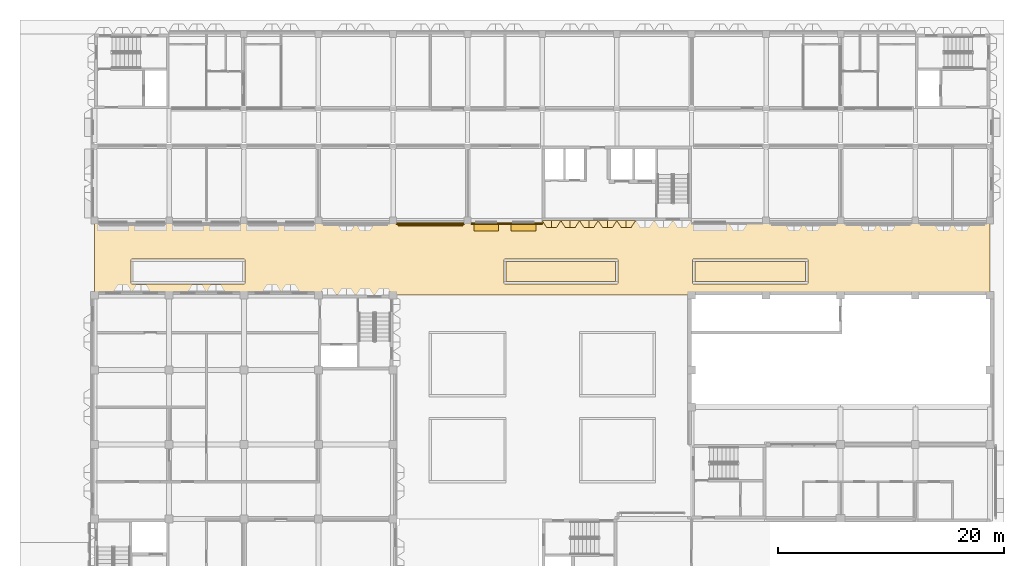
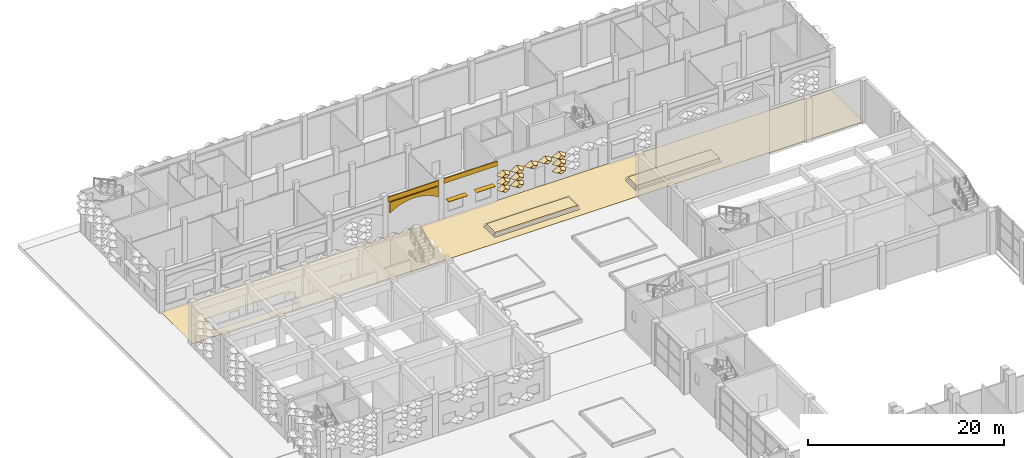
# One storey, part 71 of 85: 17 coverings, 2 shading devices.
"""IFC4 building model written with IfcOpenShell, lengths in metres."""

import ifcopenshell
import ifcopenshell.guid

model = None  # the IFC model being written
_history = None  # IfcOwnerHistory: only IFC2X3 demands one
_inside = {}  # id of a spatial element -> (the spatial element, [elements in it])
_under = {}  # id of a project, library or spatial element -> (it, [spatial elements below it])
_declared = {}  # id of a project -> (the project, [libraries it declares])
_typed = {}  # id of a type object -> (the type object, [elements of that type])
_made_of = {}  # id of a material, layer set ... -> (it, [elements and type objects made of it])


def new_model(schema):
    """Start an empty IFC model of exactly this schema.

    Asked for "IFC4X3", IfcOpenShell would pick the latest addendum, in which some entities
    have other attributes; the version numbers below select the first issue.
    IFC2X3 requires an IfcOwnerHistory on every rooted entity: one is made here for all.
    """
    global model, _history
    if schema == "IFC4X3":
        model = ifcopenshell.file(schema_version=(4, 3, 0, 0))
    else:
        model = ifcopenshell.file(schema=schema)
    _inside.clear()
    _under.clear()
    _declared.clear()
    _typed.clear()
    _made_of.clear()
    _history = None
    if model.schema == "IFC2X3":
        org = make("IfcOrganization", Name="unknown")
        user = make(
            "IfcPersonAndOrganization",
            ThePerson=make("IfcPerson", FamilyName="unknown"),
            TheOrganization=org,
        )
        app = make(
            "IfcApplication",
            ApplicationDeveloper=org,
            Version="unknown",
            ApplicationFullName="unknown",
            ApplicationIdentifier="unknown",
        )
        _history = make(
            "IfcOwnerHistory",
            OwningUser=user,
            OwningApplication=app,
            ChangeAction="ADDED",
            CreationDate=0,
        )
    return model


def make(cls, **values):
    """One entity of the class cls with the attributes given. An attribute that is None is left unset."""
    return model.create_entity(
        cls, **{name: value for name, value in values.items() if value is not None}
    )


def entity(cls, *values):
    """Any entity or typed value of the class cls, its attributes in the order of the schema. None: left unset."""
    e = model.create_entity(cls)
    for i, value in enumerate(values):
        if value is not None:
            e[i] = value
    return e


def rooted(cls, **values):
    """An entity with a GlobalId (a new one), such as an element, a storey or a relation."""
    return make(cls, GlobalId=ifcopenshell.guid.new(), OwnerHistory=_history, **values)


def si_unit(unit_type, name, prefix=None):
    """IfcSIUnit, for example si_unit("LENGTHUNIT", "METRE", prefix="MILLI")."""
    return make("IfcSIUnit", UnitType=unit_type, Prefix=prefix, Name=name)


def assignment(units):
    """IfcUnitAssignment: the units of a project."""
    return None if units is None else make("IfcUnitAssignment", Units=units)


def point(xyz):
    """IfcCartesianPoint."""
    return None if xyz is None else make("IfcCartesianPoint", Coordinates=xyz)


def direction(xyz):
    """IfcDirection."""
    return None if xyz is None else make("IfcDirection", DirectionRatios=xyz)


def frame(location, z_axis=None, x_axis=None):
    """IfcAxis2Placement3D, a coordinate frame: its origin and axes. An axis left out is left unset."""
    return make(
        "IfcAxis2Placement3D",
        Location=point(location),
        Axis=direction(z_axis),
        RefDirection=direction(x_axis),
    )


def frame_2d(location, x_axis=None):
    """IfcAxis2Placement2D, a coordinate frame in the plane: its origin and x axis."""
    return make(
        "IfcAxis2Placement2D", Location=point(location), RefDirection=direction(x_axis)
    )


def origin():
    """The frame at (0, 0, 0) with its axes left unset."""
    return frame((0.0, 0.0, 0.0))


def origin_2d():
    """The frame at (0, 0) in the plane with its x axis left unset."""
    return frame_2d((0.0, 0.0))


def place(relative_to, where):
    """IfcLocalPlacement: puts the frame where relative to a parent placement (None: the world)."""
    return make(
        "IfcLocalPlacement", PlacementRelTo=relative_to, RelativePlacement=where
    )


def context(
    kind, dimensions, precision=None, world=None, true_north=None, identifier=None
):
    """IfcGeometricRepresentationContext, for example the 3D "Model" context."""
    return make(
        "IfcGeometricRepresentationContext",
        ContextIdentifier=identifier,
        ContextType=kind,
        CoordinateSpaceDimension=dimensions,
        Precision=precision,
        WorldCoordinateSystem=world,
        TrueNorth=true_north,
    )


def subcontext(parent, identifier, kind, view, scale=None):
    """IfcGeometricRepresentationSubContext, for example "Body" below "Model"."""
    return make(
        "IfcGeometricRepresentationSubContext",
        ContextIdentifier=identifier,
        ContextType=kind,
        ParentContext=parent,
        TargetScale=scale,
        TargetView=view,
    )


def project(units=None, contexts=None):
    """IfcProject with its units and contexts."""
    return rooted(
        "IfcProject",
        Name="project",
        RepresentationContexts=contexts,
        UnitsInContext=assignment(units),
    )


def spatial(cls, under=None, at=None, **own):
    """A site, building, storey or space (cls), placed at a placement, below another one or the project."""
    s = rooted(cls, ObjectPlacement=at, **own)
    if under is not None:
        _under.setdefault(under.id(), (under, []))[1].append(s)
    return s


def polyline(points):
    """IfcPolyline through the points."""
    return make("IfcPolyline", Points=[point(p) for p in points])


def profile(cls, at=None, kind="AREA", **sizes):
    """A parametric profile (cls). Its sizes go by their IFC names, for example OverallWidth=200.0."""
    return make(cls, ProfileType=kind, Position=at, **sizes)


def rectangle(**sizes):
    """IfcRectangleProfileDef."""
    return profile("IfcRectangleProfileDef", **sizes)


def outline(outer, holes=None, kind="AREA"):
    """IfcArbitraryClosedProfileDef: a profile drawn as a closed curve; with holes, ...WithVoids."""
    if holes is None:
        return make("IfcArbitraryClosedProfileDef", ProfileType=kind, OuterCurve=outer)
    return make(
        "IfcArbitraryProfileDefWithVoids",
        ProfileType=kind,
        OuterCurve=outer,
        InnerCurves=holes,
    )


def extrude(swept, where, along, depth):
    """IfcExtrudedAreaSolid: the profile swept, set in the frame where, extruded along a direction by depth."""
    return make(
        "IfcExtrudedAreaSolid",
        SweptArea=swept,
        Position=where,
        ExtrudedDirection=direction(along),
        Depth=depth,
    )


def shape(context_of_items, identifier, shape_type, items):
    """IfcShapeRepresentation: the items that make up one representation, for example the "Body"."""
    return make(
        "IfcShapeRepresentation",
        ContextOfItems=context_of_items,
        RepresentationIdentifier=identifier,
        RepresentationType=shape_type,
        Items=items,
    )


def material(Name=None, Category=None):
    """IfcMaterial."""
    return make("IfcMaterial", Name=Name, Category=Category)


def layer(
    of_material, thickness, ventilated=None, Name=None, Category=None, Priority=None
):
    """IfcMaterialLayer: one layer of a wall or slab, of a material (None: an air gap)."""
    return make(
        "IfcMaterialLayer",
        Material=of_material,
        LayerThickness=thickness,
        IsVentilated=ventilated,
        Name=Name,
        Category=Category,
        Priority=Priority,
    )


def layer_set(layers, Name=None):
    """IfcMaterialLayerSet."""
    return make("IfcMaterialLayerSet", MaterialLayers=layers, LayerSetName=Name)


def made_of(thing, what):
    """Note that an element or type object is made of a material, layer set ...; save() writes the relation."""
    if what is not None:
        _made_of.setdefault(what.id(), (what, []))[1].append(thing)
    return thing


def type_object(cls, material=None, **own):
    """A type object (cls), such as IfcWallType, which elements share."""
    return made_of(rooted(cls, **own), material)


def element(
    cls,
    number,
    at=None,
    inside=None,
    cuts=None,
    type_object=None,
    material=None,
    context=None,
    identifier="Body",
    shape_type=None,
    held_by="IfcProductDefinitionShape",
    body=None,
    shapes=None,
    **own,
):
    """One element of the class cls, such as IfcWall. Its Tag is "e" and its number.

    at: its placement. inside: the storey or other place that contains it. cuts: it is an
    opening in that element (IfcRelVoidsElement). A single representation is given by context,
    identifier, shape_type and body (its items); several are given by shapes. held_by: the class
    of the entity that holds the representations. save() writes the other relations.
    """
    e = rooted(cls, Tag="e%d" % number, ObjectPlacement=at, **own)
    if body is not None:
        shapes = [shape(context, identifier, shape_type, body)]
    if shapes is not None:
        e.Representation = make(held_by, Representations=shapes)
    if inside is not None:
        _inside.setdefault(inside.id(), (inside, []))[1].append(e)
    if cuts is not None:
        rooted(
            "IfcRelVoidsElement", RelatingBuildingElement=cuts, RelatedOpeningElement=e
        )
    if type_object is not None:
        _typed.setdefault(type_object.id(), (type_object, []))[1].append(e)
    return made_of(e, material)


def aggregate(whole, parts):
    """IfcRelAggregates: a whole, such as a stair, and the parts it consists of."""
    return rooted("IfcRelAggregates", RelatingObject=whole, RelatedObjects=parts)


def save(model, path):
    """Write the relations noted so far, then the file.

    IfcRelAggregates (storeys below a building ...), IfcRelContainedInSpatialStructure (elements
    in a storey), IfcRelDefinesByType, IfcRelAssociatesMaterial and IfcRelDeclares: one each for
    every whole, place, type object, material and project.
    """
    for whole, parts in _under.values():
        aggregate(whole, parts)
    for where, things in _inside.values():
        rooted(
            "IfcRelContainedInSpatialStructure",
            RelatedElements=things,
            RelatingStructure=where,
        )
    for kind, things in _typed.values():
        rooted("IfcRelDefinesByType", RelatedObjects=things, RelatingType=kind)
    for what, things in _made_of.values():
        rooted("IfcRelAssociatesMaterial", RelatedObjects=things, RelatingMaterial=what)
    for by, libraries in _declared.values():
        rooted("IfcRelDeclares", RelatingContext=by, RelatedDefinitions=libraries)
    model.write(path)


model = new_model("IFC4")

# Units and contexts
model_context = context("Model", 3, precision=1e-05, world=origin(), true_north=direction((0.0, 1.0)))
body_context = subcontext(model_context, "Body", "Model", "MODEL_VIEW")
ifc_project = project(units=[si_unit("LENGTHUNIT", "METRE"), si_unit("AREAUNIT", "SQUARE_METRE"), si_unit("VOLUMEUNIT", "CUBIC_METRE"), si_unit("PLANEANGLEUNIT", "RADIAN"), si_unit("MASSUNIT", "GRAM", prefix="KILO")], contexts=[model_context])

# Site, building, storey
site_placement = place(None, origin())
site = spatial("IfcSite", under=ifc_project, at=site_placement, CompositionType="ELEMENT")
building_placement = place(site_placement, origin())
building = spatial("IfcBuilding", under=site, at=building_placement, Name="Lantern Court Research Institute", CompositionType="ELEMENT")
storey_placement = place(building_placement, origin())
storey = spatial("IfcBuildingStorey", under=building, at=storey_placement, Name="L00", CompositionType="ELEMENT", Elevation=0.0)

# Covering
ifc_material_1 = material(Name="Glass fibre reinforced concrete cladding", Category="concrete")
ifc_layer_1 = layer(ifc_material_1, 0.25)
ifc_layer_set_1 = layer_set([ifc_layer_1], Name="Glass fibre reinforced concrete cladding")
covering_type_1 = type_object("IfcCoveringType", Name="Arcade frieze panel 250 glass fibre reinforced concrete", PredefinedType="CLADDING", material=ifc_layer_set_1)
covering_1_placement = place(storey_placement, frame((0.0, 82.199951171875, 0.0), z_axis=(0.0, -1.0, 0.0), x_axis=(1.0, 0.0, 0.0)))
element("IfcCovering", 1, at=covering_1_placement, inside=storey, type_object=covering_type_1, Name="Cloister arched frieze panel 5", PredefinedType="CLADDING", context=body_context, shape_type="SweptSolid", body=[
    extrude(outline(polyline([(26.85009765625, 4.550048828125), (26.85009765625, 3.199951171875), (27.08740234375, 3.356689453125), (27.324951171875, 3.494873046875), (27.5625, 3.615966796875), (27.800048828125, 3.721923828125), (28.03759765625, 3.813232421875), (28.27490234375, 3.89111328125), (28.512451171875, 3.955810546875), (28.75, 4.00830078125), (28.987548828125, 4.048583984375), (29.22509765625, 4.0771484375), (29.46240234375, 4.09423828125), (29.699951171875, 4.10009765625), (29.9375, 4.09423828125), (30.175048828125, 4.0771484375), (30.41259765625, 4.048583984375), (30.64990234375, 4.00830078125), (30.887451171875, 3.955810546875), (31.125, 3.89111328125), (31.362548828125, 3.813232421875), (31.60009765625, 3.721923828125), (31.83740234375, 3.615966796875), (32.074951171875, 3.494873046875), (32.3125, 3.356689453125), (32.550048828125, 3.199951171875), (32.550048828125, 4.550048828125), (26.85009765625, 4.550048828125)])), origin(), (0.0, 0.0, 1.0), 0.14990234375),
])

# Shading devices
ifc_material_2 = material(Name="Aluminium alloy 6063-T6", Category="aluminium")
ifc_layer_2 = layer(ifc_material_2, 0.050048828125)
ifc_layer_set_2 = layer_set([ifc_layer_2], Name="Aluminium alloy 6063-T6")
shading_device_type = type_object("IfcShadingDeviceType", Name="Brise-soleil blade 2200 x 600 x 50 aluminium", PredefinedType="USERDEFINED", material=ifc_layer_set_2)
for number, where, z_axis, x_axis, name in (
    (2, (34.64990234375, 81.89990234375, 2.5), (0.0, 0.0, 1.0), (-1.0, 0.0, 0.0), "Brise-soleil blade L00 S"),
    (3, (37.949951171875, 81.89990234375, 2.5), (0.0, 0.0, 1.0), (-1.0, 0.0, 0.0), "Brise-soleil blade L00 S"),
):
    element("IfcShadingDevice", number, at=place(storey_placement, frame(where, z_axis=z_axis, x_axis=x_axis)), inside=storey, type_object=shading_device_type, Name=name, ObjectType="LOUVRE", PredefinedType="USERDEFINED", context=body_context, shape_type="SweptSolid", body=[
        extrude(rectangle(XDim=2.199951171875, YDim=0.60009765625, at=origin_2d()), origin(), (0.0, 0.0, 1.0), 0.050048828125),
    ])

# Coverings
ifc_material_3 = material(Name="Aluminium composite panel with mineral wool insulation", Category="aluminium")
ifc_layer_3 = layer(ifc_material_3, 0.10009765625)
ifc_layer_set_3 = layer_set([ifc_layer_3], Name="Aluminium composite panel with mineral wool insulation")
covering_type_2 = type_object("IfcCoveringType", Name="Edge fascia panel 100 aluminium faced", PredefinedType="CLADDING", material=ifc_layer_set_3)
covering_2_placement = place(storey_placement, frame((32.699951171875, 82.25, 4.550048828125), z_axis=(0.0, 0.0, 1.0), x_axis=(-1.0, 0.0, 0.0)))
element("IfcCovering", 4, at=covering_2_placement, inside=storey, type_object=covering_type_2, Name="Edge fascia V6S L00 05", PredefinedType="CLADDING", context=body_context, shape_type="SweptSolid", body=[
    extrude(rectangle(XDim=6.0, YDim=0.10009765625, at=frame_2d((3.0, 0.0))), origin(), (0.0, 0.0, 1.0), 0.599853515625),
])
covering_3_placement = place(storey_placement, frame((39.60009765625, 82.25, 4.550048828125), z_axis=(0.0, 0.0, 1.0), x_axis=(-1.0, 0.0, 0.0)))
element("IfcCovering", 5, at=covering_3_placement, inside=storey, type_object=covering_type_2, Name="Edge fascia V6S L00 06", PredefinedType="CLADDING", context=body_context, shape_type="SweptSolid", body=[
    extrude(rectangle(XDim=6.300048828125, YDim=0.10009765625, at=frame_2d((3.14990234375, 0.0))), origin(), (0.0, 0.0, 1.0), 0.599853515625),
])
ifc_material_4 = material(Name="Anodised aluminium", Category="aluminium")
ifc_layer_4 = layer(ifc_material_4, 0.01611328125)
ifc_layer_set_4 = layer_set([ifc_layer_4], Name="Anodised aluminium")
covering_type_3 = type_object("IfcCoveringType", Name="Fin cassette 1650 x 900 x 600 aluminium", PredefinedType="CLADDING", material=ifc_layer_set_4)
covering_4_placement = place(storey_placement, frame((40.425048828125, 82.5, 1.35009765625), z_axis=(0.0, -1.0, 0.0), x_axis=(1.0, 0.0, 0.0)))
cartesian_point_1 = entity("IfcCartesianPoint", [0.824951171875, 0.0])
cartesian_point_2 = entity("IfcCartesianPoint", [0.79150390625, 0.0])
cartesian_point_3 = entity("IfcCartesianPoint", [0.44189453125, 0.0])
cartesian_point_4 = entity("IfcCartesianPoint", [0.43359375, 0.0])
element("IfcCovering", 6, at=covering_4_placement, inside=storey, type_object=covering_type_3, Name="Fin cassette V6S-L00 2.25", PredefinedType="CLADDING", context=body_context, shape_type="SweptSolid", body=[
    entity("IfcExtrudedAreaSolidTapered", entity("IfcArbitraryProfileDefWithVoids", "AREA", None, entity("IfcPolyline", [cartesian_point_1, entity("IfcCartesianPoint", [0.0, 0.449951171875]), entity("IfcCartesianPoint", [-0.824951171875, 0.0]), entity("IfcCartesianPoint", [0.0, -0.449951171875]), cartesian_point_1]), [entity("IfcPolyline", [cartesian_point_2, entity("IfcCartesianPoint", [0.0, 0.431884765625]), entity("IfcCartesianPoint", [-0.79150390625, 0.0]), entity("IfcCartesianPoint", [0.0, -0.431884765625]), cartesian_point_2])]), entity("IfcAxis2Placement3D", entity("IfcCartesianPoint", [0.0, 0.0, 0.0])), entity("IfcDirection", [0.0, 0.0, 1.0]), 0.60009765625, entity("IfcArbitraryProfileDefWithVoids", "AREA", None, entity("IfcPolyline", [cartesian_point_3, entity("IfcCartesianPoint", [0.0, 0.240966796875]), entity("IfcCartesianPoint", [-0.44189453125, 0.0]), entity("IfcCartesianPoint", [0.0, -0.240966796875]), cartesian_point_3]), [entity("IfcPolyline", [cartesian_point_4, entity("IfcCartesianPoint", [0.0, 0.236572265625]), entity("IfcCartesianPoint", [-0.43359375, 0.0]), entity("IfcCartesianPoint", [0.0, -0.236572265625]), cartesian_point_4])])),
])
covering_5_placement = place(storey_placement, frame((42.074951171875, 82.5, 1.35009765625), z_axis=(0.0, -1.0, 0.0), x_axis=(1.0, 0.0, 0.0)))
cartesian_point_5 = entity("IfcCartesianPoint", [0.824951171875, 0.0])
cartesian_point_6 = entity("IfcCartesianPoint", [0.79150390625, 0.0])
cartesian_point_7 = entity("IfcCartesianPoint", [0.44189453125, 0.0])
cartesian_point_8 = entity("IfcCartesianPoint", [0.43359375, 0.0])
element("IfcCovering", 7, at=covering_5_placement, inside=storey, type_object=covering_type_3, Name="Fin cassette V6S-L00 2.26", PredefinedType="CLADDING", context=body_context, shape_type="SweptSolid", body=[
    entity("IfcExtrudedAreaSolidTapered", entity("IfcArbitraryProfileDefWithVoids", "AREA", None, entity("IfcPolyline", [cartesian_point_5, entity("IfcCartesianPoint", [0.0, 0.449951171875]), entity("IfcCartesianPoint", [-0.824951171875, 0.0]), entity("IfcCartesianPoint", [0.0, -0.449951171875]), cartesian_point_5]), [entity("IfcPolyline", [cartesian_point_6, entity("IfcCartesianPoint", [0.0, 0.431884765625]), entity("IfcCartesianPoint", [-0.79150390625, 0.0]), entity("IfcCartesianPoint", [0.0, -0.431884765625]), cartesian_point_6])]), entity("IfcAxis2Placement3D", entity("IfcCartesianPoint", [0.0, 0.0, 0.0])), entity("IfcDirection", [0.0, 0.0, 1.0]), 0.60009765625, entity("IfcArbitraryProfileDefWithVoids", "AREA", None, entity("IfcPolyline", [cartesian_point_7, entity("IfcCartesianPoint", [0.0, 0.240966796875]), entity("IfcCartesianPoint", [-0.44189453125, 0.0]), entity("IfcCartesianPoint", [0.0, -0.240966796875]), cartesian_point_7]), [entity("IfcPolyline", [cartesian_point_8, entity("IfcCartesianPoint", [0.0, 0.236572265625]), entity("IfcCartesianPoint", [-0.43359375, 0.0]), entity("IfcCartesianPoint", [0.0, -0.236572265625]), cartesian_point_8])])),
])
covering_6_placement = place(storey_placement, frame((47.02490234375, 82.5, 1.35009765625), z_axis=(0.0, -1.0, 0.0), x_axis=(1.0, 0.0, 0.0)))
cartesian_point_9 = entity("IfcCartesianPoint", [0.824951171875, 0.0])
cartesian_point_10 = entity("IfcCartesianPoint", [0.79150390625, 0.0])
cartesian_point_11 = entity("IfcCartesianPoint", [0.44189453125, 0.0])
cartesian_point_12 = entity("IfcCartesianPoint", [0.43359375, 0.0])
element("IfcCovering", 8, at=covering_6_placement, inside=storey, type_object=covering_type_3, Name="Fin cassette V6S-L00 2.29", PredefinedType="CLADDING", context=body_context, shape_type="SweptSolid", body=[
    entity("IfcExtrudedAreaSolidTapered", entity("IfcArbitraryProfileDefWithVoids", "AREA", None, entity("IfcPolyline", [cartesian_point_9, entity("IfcCartesianPoint", [0.0, 0.449951171875]), entity("IfcCartesianPoint", [-0.824951171875, 0.0]), entity("IfcCartesianPoint", [0.0, -0.449951171875]), cartesian_point_9]), [entity("IfcPolyline", [cartesian_point_10, entity("IfcCartesianPoint", [0.0, 0.431884765625]), entity("IfcCartesianPoint", [-0.79150390625, 0.0]), entity("IfcCartesianPoint", [0.0, -0.431884765625]), cartesian_point_10])]), entity("IfcAxis2Placement3D", entity("IfcCartesianPoint", [0.0, 0.0, 0.0])), entity("IfcDirection", [0.0, 0.0, 1.0]), 0.60009765625, entity("IfcArbitraryProfileDefWithVoids", "AREA", None, entity("IfcPolyline", [cartesian_point_11, entity("IfcCartesianPoint", [0.0, 0.240966796875]), entity("IfcCartesianPoint", [-0.44189453125, 0.0]), entity("IfcCartesianPoint", [0.0, -0.240966796875]), cartesian_point_11]), [entity("IfcPolyline", [cartesian_point_12, entity("IfcCartesianPoint", [0.0, 0.236572265625]), entity("IfcCartesianPoint", [-0.43359375, 0.0]), entity("IfcCartesianPoint", [0.0, -0.236572265625]), cartesian_point_12])])),
])
covering_7_placement = place(storey_placement, frame((40.425048828125, 82.5, 2.25), z_axis=(0.0, -1.0, 0.0), x_axis=(1.0, 0.0, 0.0)))
cartesian_point_13 = entity("IfcCartesianPoint", [0.824951171875, 0.0])
cartesian_point_14 = entity("IfcCartesianPoint", [0.79150390625, 0.0])
cartesian_point_15 = entity("IfcCartesianPoint", [0.44189453125, 0.0])
cartesian_point_16 = entity("IfcCartesianPoint", [0.43359375, 0.0])
element("IfcCovering", 9, at=covering_7_placement, inside=storey, type_object=covering_type_3, Name="Fin cassette V6S-L00 3.25", PredefinedType="CLADDING", context=body_context, shape_type="SweptSolid", body=[
    entity("IfcExtrudedAreaSolidTapered", entity("IfcArbitraryProfileDefWithVoids", "AREA", None, entity("IfcPolyline", [cartesian_point_13, entity("IfcCartesianPoint", [0.0, 0.449951171875]), entity("IfcCartesianPoint", [-0.824951171875, 0.0]), entity("IfcCartesianPoint", [0.0, -0.449951171875]), cartesian_point_13]), [entity("IfcPolyline", [cartesian_point_14, entity("IfcCartesianPoint", [0.0, 0.431884765625]), entity("IfcCartesianPoint", [-0.79150390625, 0.0]), entity("IfcCartesianPoint", [0.0, -0.431884765625]), cartesian_point_14])]), entity("IfcAxis2Placement3D", entity("IfcCartesianPoint", [0.0, 0.0, 0.0])), entity("IfcDirection", [0.0, 0.0, 1.0]), 0.60009765625, entity("IfcArbitraryProfileDefWithVoids", "AREA", None, entity("IfcPolyline", [cartesian_point_15, entity("IfcCartesianPoint", [0.0, 0.240966796875]), entity("IfcCartesianPoint", [-0.44189453125, 0.0]), entity("IfcCartesianPoint", [0.0, -0.240966796875]), cartesian_point_15]), [entity("IfcPolyline", [cartesian_point_16, entity("IfcCartesianPoint", [0.0, 0.236572265625]), entity("IfcCartesianPoint", [-0.43359375, 0.0]), entity("IfcCartesianPoint", [0.0, -0.236572265625]), cartesian_point_16])])),
])
covering_8_placement = place(storey_placement, frame((42.074951171875, 82.5, 2.25), z_axis=(0.0, -1.0, 0.0), x_axis=(1.0, 0.0, 0.0)))
cartesian_point_17 = entity("IfcCartesianPoint", [0.824951171875, 0.0])
cartesian_point_18 = entity("IfcCartesianPoint", [0.79150390625, 0.0])
cartesian_point_19 = entity("IfcCartesianPoint", [0.44189453125, 0.0])
cartesian_point_20 = entity("IfcCartesianPoint", [0.43359375, 0.0])
element("IfcCovering", 10, at=covering_8_placement, inside=storey, type_object=covering_type_3, Name="Fin cassette V6S-L00 3.26", PredefinedType="CLADDING", context=body_context, shape_type="SweptSolid", body=[
    entity("IfcExtrudedAreaSolidTapered", entity("IfcArbitraryProfileDefWithVoids", "AREA", None, entity("IfcPolyline", [cartesian_point_17, entity("IfcCartesianPoint", [0.0, 0.449951171875]), entity("IfcCartesianPoint", [-0.824951171875, 0.0]), entity("IfcCartesianPoint", [0.0, -0.449951171875]), cartesian_point_17]), [entity("IfcPolyline", [cartesian_point_18, entity("IfcCartesianPoint", [0.0, 0.431884765625]), entity("IfcCartesianPoint", [-0.79150390625, 0.0]), entity("IfcCartesianPoint", [0.0, -0.431884765625]), cartesian_point_18])]), entity("IfcAxis2Placement3D", entity("IfcCartesianPoint", [0.0, 0.0, 0.0])), entity("IfcDirection", [0.0, 0.0, 1.0]), 0.60009765625, entity("IfcArbitraryProfileDefWithVoids", "AREA", None, entity("IfcPolyline", [cartesian_point_19, entity("IfcCartesianPoint", [0.0, 0.240966796875]), entity("IfcCartesianPoint", [-0.44189453125, 0.0]), entity("IfcCartesianPoint", [0.0, -0.240966796875]), cartesian_point_19]), [entity("IfcPolyline", [cartesian_point_20, entity("IfcCartesianPoint", [0.0, 0.236572265625]), entity("IfcCartesianPoint", [-0.43359375, 0.0]), entity("IfcCartesianPoint", [0.0, -0.236572265625]), cartesian_point_20])])),
])
covering_9_placement = place(storey_placement, frame((47.02490234375, 82.5, 2.25), z_axis=(0.0, -1.0, 0.0), x_axis=(1.0, 0.0, 0.0)))
cartesian_point_21 = entity("IfcCartesianPoint", [0.824951171875, 0.0])
cartesian_point_22 = entity("IfcCartesianPoint", [0.79150390625, 0.0])
cartesian_point_23 = entity("IfcCartesianPoint", [0.44189453125, 0.0])
cartesian_point_24 = entity("IfcCartesianPoint", [0.43359375, 0.0])
element("IfcCovering", 11, at=covering_9_placement, inside=storey, type_object=covering_type_3, Name="Fin cassette V6S-L00 3.29", PredefinedType="CLADDING", context=body_context, shape_type="SweptSolid", body=[
    entity("IfcExtrudedAreaSolidTapered", entity("IfcArbitraryProfileDefWithVoids", "AREA", None, entity("IfcPolyline", [cartesian_point_21, entity("IfcCartesianPoint", [0.0, 0.449951171875]), entity("IfcCartesianPoint", [-0.824951171875, 0.0]), entity("IfcCartesianPoint", [0.0, -0.449951171875]), cartesian_point_21]), [entity("IfcPolyline", [cartesian_point_22, entity("IfcCartesianPoint", [0.0, 0.431884765625]), entity("IfcCartesianPoint", [-0.79150390625, 0.0]), entity("IfcCartesianPoint", [0.0, -0.431884765625]), cartesian_point_22])]), entity("IfcAxis2Placement3D", entity("IfcCartesianPoint", [0.0, 0.0, 0.0])), entity("IfcDirection", [0.0, 0.0, 1.0]), 0.60009765625, entity("IfcArbitraryProfileDefWithVoids", "AREA", None, entity("IfcPolyline", [cartesian_point_23, entity("IfcCartesianPoint", [0.0, 0.240966796875]), entity("IfcCartesianPoint", [-0.44189453125, 0.0]), entity("IfcCartesianPoint", [0.0, -0.240966796875]), cartesian_point_23]), [entity("IfcPolyline", [cartesian_point_24, entity("IfcCartesianPoint", [0.0, 0.236572265625]), entity("IfcCartesianPoint", [-0.43359375, 0.0]), entity("IfcCartesianPoint", [0.0, -0.236572265625]), cartesian_point_24])])),
])
covering_10_placement = place(storey_placement, frame((40.425048828125, 82.5, 3.14990234375), z_axis=(0.0, -1.0, 0.0), x_axis=(1.0, 0.0, 0.0)))
cartesian_point_25 = entity("IfcCartesianPoint", [0.824951171875, 0.0])
cartesian_point_26 = entity("IfcCartesianPoint", [0.79150390625, 0.0])
cartesian_point_27 = entity("IfcCartesianPoint", [0.44189453125, 0.0])
cartesian_point_28 = entity("IfcCartesianPoint", [0.43359375, 0.0])
element("IfcCovering", 12, at=covering_10_placement, inside=storey, type_object=covering_type_3, Name="Fin cassette V6S-L00 4.25", PredefinedType="CLADDING", context=body_context, shape_type="SweptSolid", body=[
    entity("IfcExtrudedAreaSolidTapered", entity("IfcArbitraryProfileDefWithVoids", "AREA", None, entity("IfcPolyline", [cartesian_point_25, entity("IfcCartesianPoint", [0.0, 0.449951171875]), entity("IfcCartesianPoint", [-0.824951171875, 0.0]), entity("IfcCartesianPoint", [0.0, -0.449951171875]), cartesian_point_25]), [entity("IfcPolyline", [cartesian_point_26, entity("IfcCartesianPoint", [0.0, 0.431884765625]), entity("IfcCartesianPoint", [-0.79150390625, 0.0]), entity("IfcCartesianPoint", [0.0, -0.431884765625]), cartesian_point_26])]), entity("IfcAxis2Placement3D", entity("IfcCartesianPoint", [0.0, 0.0, 0.0])), entity("IfcDirection", [0.0, 0.0, 1.0]), 0.60009765625, entity("IfcArbitraryProfileDefWithVoids", "AREA", None, entity("IfcPolyline", [cartesian_point_27, entity("IfcCartesianPoint", [0.0, 0.240966796875]), entity("IfcCartesianPoint", [-0.44189453125, 0.0]), entity("IfcCartesianPoint", [0.0, -0.240966796875]), cartesian_point_27]), [entity("IfcPolyline", [cartesian_point_28, entity("IfcCartesianPoint", [0.0, 0.236572265625]), entity("IfcCartesianPoint", [-0.43359375, 0.0]), entity("IfcCartesianPoint", [0.0, -0.236572265625]), cartesian_point_28])])),
])
covering_11_placement = place(storey_placement, frame((42.074951171875, 82.5, 3.14990234375), z_axis=(0.0, -1.0, 0.0), x_axis=(1.0, 0.0, 0.0)))
cartesian_point_29 = entity("IfcCartesianPoint", [0.824951171875, 0.0])
cartesian_point_30 = entity("IfcCartesianPoint", [0.79150390625, 0.0])
cartesian_point_31 = entity("IfcCartesianPoint", [0.44189453125, 0.0])
cartesian_point_32 = entity("IfcCartesianPoint", [0.43359375, 0.0])
element("IfcCovering", 13, at=covering_11_placement, inside=storey, type_object=covering_type_3, Name="Fin cassette V6S-L00 4.26", PredefinedType="CLADDING", context=body_context, shape_type="SweptSolid", body=[
    entity("IfcExtrudedAreaSolidTapered", entity("IfcArbitraryProfileDefWithVoids", "AREA", None, entity("IfcPolyline", [cartesian_point_29, entity("IfcCartesianPoint", [0.0, 0.449951171875]), entity("IfcCartesianPoint", [-0.824951171875, 0.0]), entity("IfcCartesianPoint", [0.0, -0.449951171875]), cartesian_point_29]), [entity("IfcPolyline", [cartesian_point_30, entity("IfcCartesianPoint", [0.0, 0.431884765625]), entity("IfcCartesianPoint", [-0.79150390625, 0.0]), entity("IfcCartesianPoint", [0.0, -0.431884765625]), cartesian_point_30])]), entity("IfcAxis2Placement3D", entity("IfcCartesianPoint", [0.0, 0.0, 0.0])), entity("IfcDirection", [0.0, 0.0, 1.0]), 0.60009765625, entity("IfcArbitraryProfileDefWithVoids", "AREA", None, entity("IfcPolyline", [cartesian_point_31, entity("IfcCartesianPoint", [0.0, 0.240966796875]), entity("IfcCartesianPoint", [-0.44189453125, 0.0]), entity("IfcCartesianPoint", [0.0, -0.240966796875]), cartesian_point_31]), [entity("IfcPolyline", [cartesian_point_32, entity("IfcCartesianPoint", [0.0, 0.236572265625]), entity("IfcCartesianPoint", [-0.43359375, 0.0]), entity("IfcCartesianPoint", [0.0, -0.236572265625]), cartesian_point_32])])),
])
covering_12_placement = place(storey_placement, frame((43.72509765625, 82.5, 3.14990234375), z_axis=(0.0, -1.0, 0.0), x_axis=(1.0, 0.0, 0.0)))
cartesian_point_33 = entity("IfcCartesianPoint", [0.824951171875, 0.0])
cartesian_point_34 = entity("IfcCartesianPoint", [0.79150390625, 0.0])
cartesian_point_35 = entity("IfcCartesianPoint", [0.44189453125, 0.0])
cartesian_point_36 = entity("IfcCartesianPoint", [0.43359375, 0.0])
element("IfcCovering", 14, at=covering_12_placement, inside=storey, type_object=covering_type_3, Name="Fin cassette V6S-L00 4.27", PredefinedType="CLADDING", context=body_context, shape_type="SweptSolid", body=[
    entity("IfcExtrudedAreaSolidTapered", entity("IfcArbitraryProfileDefWithVoids", "AREA", None, entity("IfcPolyline", [cartesian_point_33, entity("IfcCartesianPoint", [0.0, 0.449951171875]), entity("IfcCartesianPoint", [-0.824951171875, 0.0]), entity("IfcCartesianPoint", [0.0, -0.449951171875]), cartesian_point_33]), [entity("IfcPolyline", [cartesian_point_34, entity("IfcCartesianPoint", [0.0, 0.431884765625]), entity("IfcCartesianPoint", [-0.79150390625, 0.0]), entity("IfcCartesianPoint", [0.0, -0.431884765625]), cartesian_point_34])]), entity("IfcAxis2Placement3D", entity("IfcCartesianPoint", [0.0, 0.0, 0.0])), entity("IfcDirection", [0.0, 0.0, 1.0]), 0.60009765625, entity("IfcArbitraryProfileDefWithVoids", "AREA", None, entity("IfcPolyline", [cartesian_point_35, entity("IfcCartesianPoint", [0.0, 0.240966796875]), entity("IfcCartesianPoint", [-0.44189453125, 0.0]), entity("IfcCartesianPoint", [0.0, -0.240966796875]), cartesian_point_35]), [entity("IfcPolyline", [cartesian_point_36, entity("IfcCartesianPoint", [0.0, 0.236572265625]), entity("IfcCartesianPoint", [-0.43359375, 0.0]), entity("IfcCartesianPoint", [0.0, -0.236572265625]), cartesian_point_36])])),
])
covering_13_placement = place(storey_placement, frame((45.375, 82.5, 3.14990234375), z_axis=(0.0, -1.0, 0.0), x_axis=(1.0, 0.0, 0.0)))
cartesian_point_37 = entity("IfcCartesianPoint", [0.824951171875, 0.0])
cartesian_point_38 = entity("IfcCartesianPoint", [0.79150390625, 0.0])
cartesian_point_39 = entity("IfcCartesianPoint", [0.44189453125, 0.0])
cartesian_point_40 = entity("IfcCartesianPoint", [0.43359375, 0.0])
element("IfcCovering", 15, at=covering_13_placement, inside=storey, type_object=covering_type_3, Name="Fin cassette V6S-L00 4.28", PredefinedType="CLADDING", context=body_context, shape_type="SweptSolid", body=[
    entity("IfcExtrudedAreaSolidTapered", entity("IfcArbitraryProfileDefWithVoids", "AREA", None, entity("IfcPolyline", [cartesian_point_37, entity("IfcCartesianPoint", [0.0, 0.449951171875]), entity("IfcCartesianPoint", [-0.824951171875, 0.0]), entity("IfcCartesianPoint", [0.0, -0.449951171875]), cartesian_point_37]), [entity("IfcPolyline", [cartesian_point_38, entity("IfcCartesianPoint", [0.0, 0.431884765625]), entity("IfcCartesianPoint", [-0.79150390625, 0.0]), entity("IfcCartesianPoint", [0.0, -0.431884765625]), cartesian_point_38])]), entity("IfcAxis2Placement3D", entity("IfcCartesianPoint", [0.0, 0.0, 0.0])), entity("IfcDirection", [0.0, 0.0, 1.0]), 0.60009765625, entity("IfcArbitraryProfileDefWithVoids", "AREA", None, entity("IfcPolyline", [cartesian_point_39, entity("IfcCartesianPoint", [0.0, 0.240966796875]), entity("IfcCartesianPoint", [-0.44189453125, 0.0]), entity("IfcCartesianPoint", [0.0, -0.240966796875]), cartesian_point_39]), [entity("IfcPolyline", [cartesian_point_40, entity("IfcCartesianPoint", [0.0, 0.236572265625]), entity("IfcCartesianPoint", [-0.43359375, 0.0]), entity("IfcCartesianPoint", [0.0, -0.236572265625]), cartesian_point_40])])),
])
covering_14_placement = place(storey_placement, frame((47.02490234375, 82.5, 3.14990234375), z_axis=(0.0, -1.0, 0.0), x_axis=(1.0, 0.0, 0.0)))
cartesian_point_41 = entity("IfcCartesianPoint", [0.824951171875, 0.0])
cartesian_point_42 = entity("IfcCartesianPoint", [0.79150390625, 0.0])
cartesian_point_43 = entity("IfcCartesianPoint", [0.44189453125, 0.0])
cartesian_point_44 = entity("IfcCartesianPoint", [0.43359375, 0.0])
element("IfcCovering", 16, at=covering_14_placement, inside=storey, type_object=covering_type_3, Name="Fin cassette V6S-L00 4.29", PredefinedType="CLADDING", context=body_context, shape_type="SweptSolid", body=[
    entity("IfcExtrudedAreaSolidTapered", entity("IfcArbitraryProfileDefWithVoids", "AREA", None, entity("IfcPolyline", [cartesian_point_41, entity("IfcCartesianPoint", [0.0, 0.449951171875]), entity("IfcCartesianPoint", [-0.824951171875, 0.0]), entity("IfcCartesianPoint", [0.0, -0.449951171875]), cartesian_point_41]), [entity("IfcPolyline", [cartesian_point_42, entity("IfcCartesianPoint", [0.0, 0.431884765625]), entity("IfcCartesianPoint", [-0.79150390625, 0.0]), entity("IfcCartesianPoint", [0.0, -0.431884765625]), cartesian_point_42])]), entity("IfcAxis2Placement3D", entity("IfcCartesianPoint", [0.0, 0.0, 0.0])), entity("IfcDirection", [0.0, 0.0, 1.0]), 0.60009765625, entity("IfcArbitraryProfileDefWithVoids", "AREA", None, entity("IfcPolyline", [cartesian_point_43, entity("IfcCartesianPoint", [0.0, 0.240966796875]), entity("IfcCartesianPoint", [-0.44189453125, 0.0]), entity("IfcCartesianPoint", [0.0, -0.240966796875]), cartesian_point_43]), [entity("IfcPolyline", [cartesian_point_44, entity("IfcCartesianPoint", [0.0, 0.236572265625]), entity("IfcCartesianPoint", [-0.43359375, 0.0]), entity("IfcCartesianPoint", [0.0, -0.236572265625]), cartesian_point_44])])),
])
ifc_material_5 = material(Name="Clay pavers")
ifc_layer_5 = layer(ifc_material_5, 0.030029296875)
ifc_layer_set_5 = layer_set([ifc_layer_5], Name="Clay pavers")
covering_type_4 = type_object("IfcCoveringType", Name="Passage paving 30 mm", PredefinedType="FLOORING", material=ifc_layer_set_5)
covering_15_placement = place(storey_placement, origin())
element("IfcCovering", 17, at=covering_15_placement, inside=storey, type_object=covering_type_4, Name="North passage paving 1", PredefinedType="FLOORING", context=body_context, shape_type="SweptSolid", body=[
    extrude(outline(polyline([(52.800048828125, 75.919921875), (52.798095703125, 75.919921875), (52.7958984375, 75.919921875), (52.7939453125, 75.9189453125), (52.7919921875, 75.91796875), (52.791015625, 75.91796875), (52.7890625, 75.9169921875), (52.787109375, 75.9150390625), (52.785888671875, 75.9140625), (52.784912109375, 75.9130859375), (52.782958984375, 75.910888671875), (52.781982421875, 75.908935546875), (52.781982421875, 75.907958984375), (52.781005859375, 75.906005859375), (52.780029296875, 75.904052734375), (52.780029296875, 75.902099609375), (52.780029296875, 75.89990234375), (26.419921875, 75.89990234375), (26.419921875, 75.902099609375), (26.419921875, 75.904052734375), (26.4189453125, 75.906005859375), (26.41796875, 75.907958984375), (26.41796875, 75.908935546875), (26.4169921875, 75.910888671875), (26.4150390625, 75.9130859375), (26.4140625, 75.9140625), (26.4130859375, 75.9150390625), (26.410888671875, 75.9169921875), (26.408935546875, 75.91796875), (26.407958984375, 75.91796875), (26.406005859375, 75.9189453125), (26.404052734375, 75.919921875), (26.402099609375, 75.919921875), (26.39990234375, 75.919921875), (0.0, 75.919921875), (0.0, 82.47998046875), (79.199951171875, 82.47998046875), (79.199951171875, 75.919921875), (52.800048828125, 75.919921875)]), holes=[polyline([(13.22900390625, 76.904052734375), (13.238037109375, 76.907958984375), (13.2470703125, 76.912109375), (13.256103515625, 76.9169921875), (13.262939453125, 76.923095703125), (13.27099609375, 76.928955078125), (13.277099609375, 76.93701171875), (13.282958984375, 76.944091796875), (13.2880859375, 76.952880859375), (13.2919921875, 76.9619140625), (13.2958984375, 76.970947265625), (13.298095703125, 76.97998046875), (13.300048828125, 76.989990234375), (13.300048828125, 77.0), (13.300048828125, 79.0), (13.300048828125, 79.010009765625), (13.298095703125, 79.02001953125), (13.2958984375, 79.029052734375), (13.2919921875, 79.0380859375), (13.2880859375, 79.047119140625), (13.282958984375, 79.055908203125), (13.277099609375, 79.06298828125), (13.27099609375, 79.071044921875), (13.262939453125, 79.076904296875), (13.256103515625, 79.0830078125), (13.2470703125, 79.087890625), (13.238037109375, 79.092041015625), (13.22900390625, 79.095947265625), (13.219970703125, 79.097900390625), (13.2099609375, 79.10009765625), (13.199951171875, 79.10009765625), (3.300048828125, 79.10009765625), (3.2900390625, 79.10009765625), (3.280029296875, 79.097900390625), (3.27099609375, 79.095947265625), (3.261962890625, 79.092041015625), (3.2529296875, 79.087890625), (3.243896484375, 79.0830078125), (3.237060546875, 79.076904296875), (3.22900390625, 79.071044921875), (3.222900390625, 79.06298828125), (3.217041015625, 79.055908203125), (3.2119140625, 79.047119140625), (3.2080078125, 79.0380859375), (3.2041015625, 79.029052734375), (3.201904296875, 79.02001953125), (3.199951171875, 79.010009765625), (3.199951171875, 79.0), (3.199951171875, 77.0), (3.199951171875, 76.989990234375), (3.201904296875, 76.97998046875), (3.2041015625, 76.970947265625), (3.2080078125, 76.9619140625), (3.2119140625, 76.952880859375), (3.217041015625, 76.944091796875), (3.222900390625, 76.93701171875), (3.22900390625, 76.928955078125), (3.237060546875, 76.923095703125), (3.243896484375, 76.9169921875), (3.2529296875, 76.912109375), (3.261962890625, 76.907958984375), (3.27099609375, 76.904052734375), (3.280029296875, 76.902099609375), (3.2900390625, 76.89990234375), (3.300048828125, 76.89990234375), (13.199951171875, 76.89990234375), (13.2099609375, 76.89990234375), (13.219970703125, 76.902099609375), (13.22900390625, 76.904052734375)]), polyline([(46.219970703125, 76.902099609375), (46.22900390625, 76.904052734375), (46.238037109375, 76.907958984375), (46.2470703125, 76.912109375), (46.256103515625, 76.9169921875), (46.262939453125, 76.923095703125), (46.27099609375, 76.928955078125), (46.277099609375, 76.93701171875), (46.282958984375, 76.944091796875), (46.2880859375, 76.952880859375), (46.2919921875, 76.9619140625), (46.2958984375, 76.970947265625), (46.298095703125, 76.97998046875), (46.300048828125, 76.989990234375), (46.300048828125, 77.0), (46.300048828125, 79.0), (46.300048828125, 79.010009765625), (46.298095703125, 79.02001953125), (46.2958984375, 79.029052734375), (46.2919921875, 79.0380859375), (46.2880859375, 79.047119140625), (46.282958984375, 79.055908203125), (46.277099609375, 79.06298828125), (46.27099609375, 79.071044921875), (46.262939453125, 79.076904296875), (46.256103515625, 79.0830078125), (46.2470703125, 79.087890625), (46.238037109375, 79.092041015625), (46.22900390625, 79.095947265625), (46.219970703125, 79.097900390625), (46.2099609375, 79.10009765625), (46.199951171875, 79.10009765625), (36.300048828125, 79.10009765625), (36.2900390625, 79.10009765625), (36.280029296875, 79.097900390625), (36.27099609375, 79.095947265625), (36.261962890625, 79.092041015625), (36.2529296875, 79.087890625), (36.243896484375, 79.0830078125), (36.237060546875, 79.076904296875), (36.22900390625, 79.071044921875), (36.222900390625, 79.06298828125), (36.217041015625, 79.055908203125), (36.2119140625, 79.047119140625), (36.2080078125, 79.0380859375), (36.2041015625, 79.029052734375), (36.201904296875, 79.02001953125), (36.199951171875, 79.010009765625), (36.199951171875, 79.0), (36.199951171875, 77.0), (36.199951171875, 76.989990234375), (36.201904296875, 76.97998046875), (36.2041015625, 76.970947265625), (36.2080078125, 76.9619140625), (36.2119140625, 76.952880859375), (36.217041015625, 76.944091796875), (36.222900390625, 76.93701171875), (36.22900390625, 76.928955078125), (36.237060546875, 76.923095703125), (36.243896484375, 76.9169921875), (36.2529296875, 76.912109375), (36.261962890625, 76.907958984375), (36.27099609375, 76.904052734375), (36.280029296875, 76.902099609375), (36.2900390625, 76.89990234375), (36.300048828125, 76.89990234375), (46.199951171875, 76.89990234375), (46.2099609375, 76.89990234375), (46.219970703125, 76.902099609375)]), polyline([(63.010009765625, 76.89990234375), (63.02001953125, 76.902099609375), (63.029052734375, 76.904052734375), (63.0380859375, 76.907958984375), (63.047119140625, 76.912109375), (63.055908203125, 76.9169921875), (63.06298828125, 76.923095703125), (63.071044921875, 76.928955078125), (63.076904296875, 76.93701171875), (63.0830078125, 76.944091796875), (63.087890625, 76.952880859375), (63.092041015625, 76.9619140625), (63.095947265625, 76.970947265625), (63.097900390625, 76.97998046875), (63.10009765625, 76.989990234375), (63.10009765625, 77.0), (63.10009765625, 79.0), (63.10009765625, 79.010009765625), (63.097900390625, 79.02001953125), (63.095947265625, 79.029052734375), (63.092041015625, 79.0380859375), (63.087890625, 79.047119140625), (63.0830078125, 79.055908203125), (63.076904296875, 79.06298828125), (63.071044921875, 79.071044921875), (63.06298828125, 79.076904296875), (63.055908203125, 79.0830078125), (63.047119140625, 79.087890625), (63.0380859375, 79.092041015625), (63.029052734375, 79.095947265625), (63.02001953125, 79.097900390625), (63.010009765625, 79.10009765625), (63.0, 79.10009765625), (53.0, 79.10009765625), (52.989990234375, 79.10009765625), (52.97998046875, 79.097900390625), (52.970947265625, 79.095947265625), (52.9619140625, 79.092041015625), (52.952880859375, 79.087890625), (52.944091796875, 79.0830078125), (52.93701171875, 79.076904296875), (52.928955078125, 79.071044921875), (52.923095703125, 79.06298828125), (52.9169921875, 79.055908203125), (52.912109375, 79.047119140625), (52.907958984375, 79.0380859375), (52.904052734375, 79.029052734375), (52.902099609375, 79.02001953125), (52.89990234375, 79.010009765625), (52.89990234375, 79.0), (52.89990234375, 77.0), (52.89990234375, 76.989990234375), (52.902099609375, 76.97998046875), (52.904052734375, 76.970947265625), (52.907958984375, 76.9619140625), (52.912109375, 76.952880859375), (52.9169921875, 76.944091796875), (52.923095703125, 76.93701171875), (52.928955078125, 76.928955078125), (52.93701171875, 76.923095703125), (52.944091796875, 76.9169921875), (52.952880859375, 76.912109375), (52.9619140625, 76.907958984375), (52.970947265625, 76.904052734375), (52.97998046875, 76.902099609375), (52.989990234375, 76.89990234375), (53.0, 76.89990234375), (63.0, 76.89990234375), (63.010009765625, 76.89990234375)])]), origin(), (0.0, 0.0, 1.0), 0.030029296875),
])
ifc_material_6 = material(Name="Planting soil")
ifc_layer_6 = layer(ifc_material_6, 0.449951171875)
ifc_layer_set_6 = layer_set([ifc_layer_6], Name="Planting soil")
covering_type_5 = type_object("IfcCoveringType", Name="Planting soil 450 mm", PredefinedType="FLOORING", material=ifc_layer_set_6)
covering_16_placement = place(storey_placement, origin())
element("IfcCovering", 18, at=covering_16_placement, inside=storey, type_object=covering_type_5, Name="Planting bed north passage 2", PredefinedType="FLOORING", context=body_context, shape_type="SweptSolid", body=[
    extrude(outline(polyline([(36.39990234375, 77.10009765625), (46.10009765625, 77.10009765625), (46.10009765625, 78.89990234375), (36.39990234375, 78.89990234375), (36.39990234375, 77.10009765625)])), origin(), (0.0, 0.0, 1.0), 0.449951171875),
])
covering_17_placement = place(storey_placement, origin())
element("IfcCovering", 19, at=covering_17_placement, inside=storey, type_object=covering_type_5, Name="Planting bed north passage 3", PredefinedType="FLOORING", context=body_context, shape_type="SweptSolid", body=[
    extrude(outline(polyline([(53.10009765625, 77.10009765625), (62.89990234375, 77.10009765625), (62.89990234375, 78.89990234375), (53.10009765625, 78.89990234375), (53.10009765625, 77.10009765625)])), origin(), (0.0, 0.0, 1.0), 0.449951171875),
])

save(model, "model.ifc")
